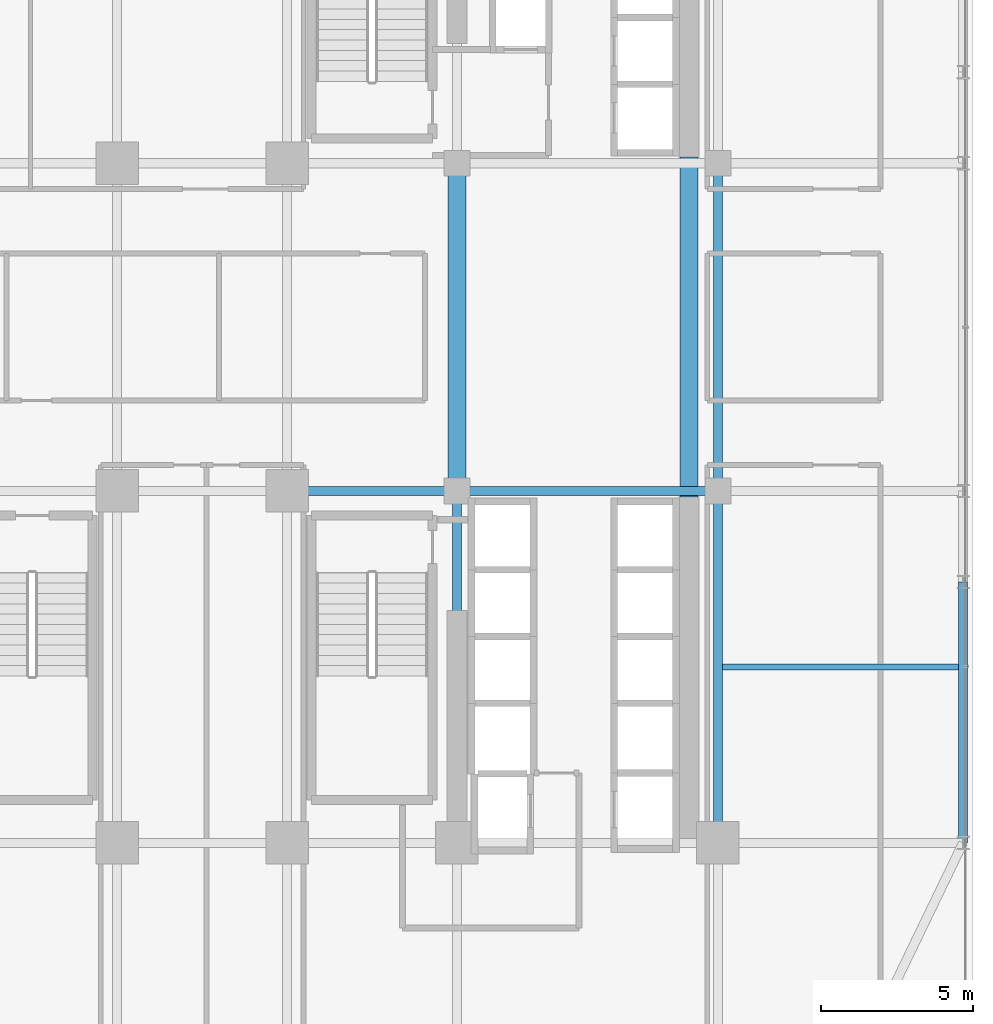
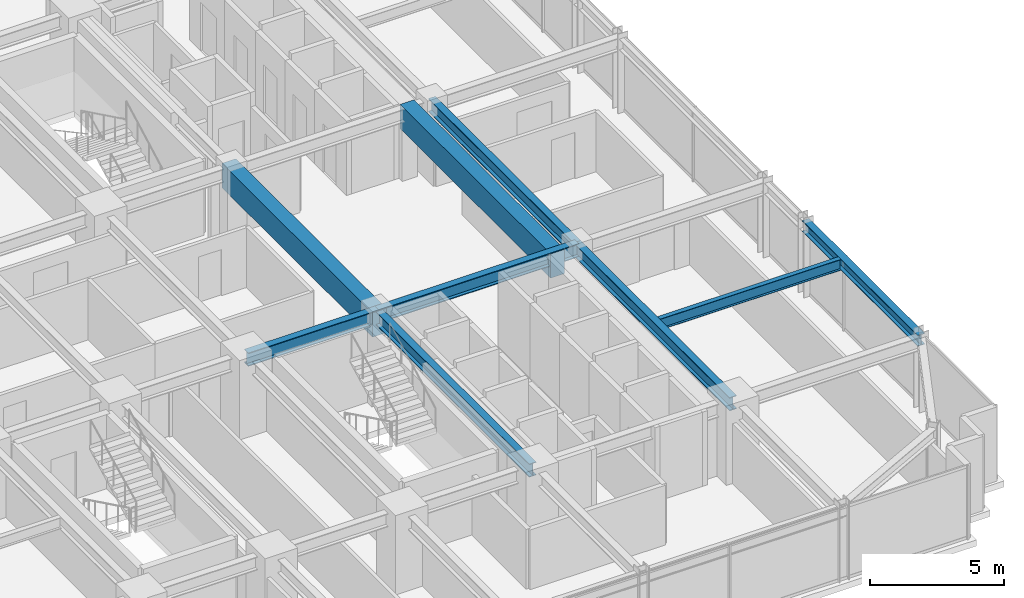
# One storey, part 15 of 37: 9 beams.
"""IFC4 building model written with IfcOpenShell, lengths in metres."""

from ifc_helpers import new_model, si_unit, direction, frame, origin, origin_2d, place, context, subcontext, project, spatial, rectangle, i_section, extrude, source, transform, mapped, material, material_profile, profile_set, type_object, element, save


model = new_model("IFC4")

# Units and contexts
model_context = context("Model", 3, precision=1e-05, world=origin(), true_north=direction((0.0, 1.0)))
body_context = subcontext(model_context, "Body", "Model", "MODEL_VIEW")
ifc_project = project(units=[si_unit("LENGTHUNIT", "METRE"), si_unit("AREAUNIT", "SQUARE_METRE"), si_unit("VOLUMEUNIT", "CUBIC_METRE"), si_unit("PLANEANGLEUNIT", "RADIAN"), si_unit("MASSUNIT", "GRAM", prefix="KILO")], contexts=[model_context])

# Site, building, storey
site_placement = place(None, origin())
site = spatial("IfcSite", under=ifc_project, at=site_placement, CompositionType="ELEMENT")
building_placement = place(site_placement, origin())
building = spatial("IfcBuilding", under=site, at=building_placement, Name="Nahalor Promenade Grand Hotel", CompositionType="ELEMENT")
storey_placement = place(building_placement, frame((0.0, 0.0, 36.050048828125)))
storey = spatial("IfcBuildingStorey", under=building, at=storey_placement, Name="L07", CompositionType="ELEMENT", Elevation=36.050048828125)

# Beams
ifc_material_1 = material(Name="Concrete B-60 (C50/60)", Category="concrete")
ifc_material_profile_1 = material_profile(ifc_material_1, rectangle(XDim=0.6, YDim=1.1, at=origin_2d()), Name="RC 600x1100")
ifc_profile_set_1 = profile_set([ifc_material_profile_1], Name="Concrete B-60 (C50/60)")
beam_type_1 = type_object("IfcBeamType", Name="Beam-Lintel-RC1100", PredefinedType="LINTEL", material=ifc_profile_set_1)
shared_shape_1 = source(origin(), body_context, "Body", "SweptSolid", [
    extrude(rectangle(XDim=0.6, YDim=1.1, at=origin_2d()), origin(), (0.0, 0.0, 1.0), 11.2001953125),
])
for number, where, z_axis, x_axis, name in (
    (1, (8.39990234375, -5.60009765625, 2.820068359375), (0.0, 1.0, 0.0), (-1.0, 0.0, 0.0), "BM-L07-LINT-W"),
    (2, (16.050048828125, -5.60009765625, 2.820068359375), (0.0, 1.0, 0.0), (-1.0, 0.0, 0.0), "BM-L07-LINT-E"),
):
    element("IfcBeam", number, at=place(storey_placement, frame(where, z_axis=z_axis, x_axis=x_axis)), inside=storey, type_object=beam_type_1, Name=name, PredefinedType="LINTEL", context=body_context, shape_type="MappedRepresentation", body=[
        mapped(shared_shape_1, transform((0.0, 0.0, 0.0), scale=1.0)),
    ])
ifc_material_2 = material(Name="Steel S355JR", Category="steel")
ifc_material_profile_2 = material_profile(ifc_material_2, i_section(OverallWidth=0.3, OverallDepth=0.6, WebThickness=0.0155, FlangeThickness=0.03, at=origin_2d()), Name="HEB 600")
ifc_profile_set_2 = profile_set([ifc_material_profile_2], Name="Steel S355JR")
beam_type_2 = type_object("IfcBeamType", Name="Beam-Girder-HEB600", PredefinedType="BEAM", material=ifc_profile_set_2)
shared_shape_2 = source(origin(), body_context, "Body", "SweptSolid", [
    extrude(i_section(OverallWidth=0.3, OverallDepth=0.6, WebThickness=0.0155, FlangeThickness=0.03, at=origin_2d()), origin(), (0.0, 0.0, 1.0), 8.60009765625),
])
beam_1_placement = place(storey_placement, frame((8.39990234375, -5.39990234375, 3.070068359375), z_axis=(1.0, 0.0, 0.0), x_axis=(0.0, 1.0, 0.0)))
element("IfcBeam", 3, at=beam_1_placement, inside=storey, type_object=beam_type_2, Name="BM-L07-GX-1-5", PredefinedType="BEAM", context=body_context, shape_type="MappedRepresentation", body=[
    mapped(shared_shape_2, transform((0.0, 0.0, 0.0), scale=1.0)),
])
shared_shape_3 = source(origin(), body_context, "Body", "SweptSolid", [
    extrude(i_section(OverallWidth=0.3, OverallDepth=0.6, WebThickness=0.0155, FlangeThickness=0.03, at=origin_2d()), origin(), (0.0, 0.0, 1.0), 5.599853515625),
])
beam_2_placement = place(storey_placement, frame((2.800048828125, -5.39990234375, 3.070068359375), z_axis=(1.0, 0.0, 0.0), x_axis=(0.0, 1.0, 0.0)))
element("IfcBeam", 4, at=beam_2_placement, inside=storey, type_object=beam_type_2, Name="BM-L07-GX-1-4", PredefinedType="BEAM", context=body_context, shape_type="MappedRepresentation", body=[
    mapped(shared_shape_3, transform((0.0, 0.0, 0.0), scale=1.0)),
])
shared_shape_4 = source(origin(), body_context, "Body", "SweptSolid", [
    extrude(i_section(OverallWidth=0.3, OverallDepth=0.6, WebThickness=0.0155, FlangeThickness=0.03, at=origin_2d()), origin(), (0.0, 0.0, 1.0), 11.60009765625),
])
for number, where, z_axis, x_axis, name in (
    (5, (8.39990234375, -17.0, 3.070068359375), (0.0, 1.0, 0.0), (-1.0, 0.0, 0.0), "BM-L07-GY-4-1"),
    (6, (17.0, -17.0, 3.070068359375), (0.0, 1.0, 0.0), (-1.0, 0.0, 0.0), "BM-L07-GY-5-1"),
):
    element("IfcBeam", number, at=place(storey_placement, frame(where, z_axis=z_axis, x_axis=x_axis)), inside=storey, type_object=beam_type_2, Name=name, PredefinedType="BEAM", context=body_context, shape_type="MappedRepresentation", body=[
        mapped(shared_shape_4, transform((0.0, 0.0, 0.0), scale=1.0)),
    ])
shared_shape_5 = source(origin(), body_context, "Body", "SweptSolid", [
    extrude(i_section(OverallWidth=0.3, OverallDepth=0.6, WebThickness=0.0155, FlangeThickness=0.03, at=origin_2d()), origin(), (0.0, 0.0, 1.0), 10.7998046875),
])
beam_3_placement = place(storey_placement, frame((17.0, -5.39990234375, 3.070068359375), z_axis=(0.0, 1.0, 0.0), x_axis=(-1.0, 0.0, 0.0)))
element("IfcBeam", 7, at=beam_3_placement, inside=storey, type_object=beam_type_2, Name="BM-L07-GY-5-2", PredefinedType="BEAM", context=body_context, shape_type="MappedRepresentation", body=[
    mapped(shared_shape_5, transform((0.0, 0.0, 0.0), scale=1.0)),
])
ifc_material_profile_3 = material_profile(ifc_material_2, i_section(OverallWidth=0.3, OverallDepth=0.5, WebThickness=0.0145, FlangeThickness=0.028, at=origin_2d()), Name="HEB 500")
ifc_profile_set_3 = profile_set([ifc_material_profile_3], Name="Steel S355JR")
beam_type_3 = type_object("IfcBeamType", Name="Beam-Spandrel-HEB500", PredefinedType="SPANDREL", material=ifc_profile_set_3)
shared_shape_6 = source(origin(), body_context, "Body", "SweptSolid", [
    extrude(i_section(OverallWidth=0.3, OverallDepth=0.5, WebThickness=0.0145, FlangeThickness=0.028, at=origin_2d()), origin(), (0.0, 0.0, 1.0), 8.60009765625),
])
beam_4_placement = place(storey_placement, frame((25.080078125, -17.0, 3.119873046875), z_axis=(0.0, 1.0, 0.0), x_axis=(-1.0, 0.0, 0.0)))
element("IfcBeam", 8, at=beam_4_placement, inside=storey, type_object=beam_type_3, Name="BM-L07-SP-E-0", PredefinedType="SPANDREL", context=body_context, shape_type="MappedRepresentation", body=[
    mapped(shared_shape_6, transform((0.0, 0.0, 0.0), scale=1.0)),
])
ifc_material_profile_4 = material_profile(ifc_material_2, i_section(OverallWidth=0.2, OverallDepth=0.5, WebThickness=0.0102, FlangeThickness=0.016, at=origin_2d()), Name="IPE 500")
ifc_profile_set_4 = profile_set([ifc_material_profile_4], Name="Steel S355JR")
beam_type_4 = type_object("IfcBeamType", Name="Beam-Joist-IPE500", PredefinedType="JOIST", material=ifc_profile_set_4)
shared_shape_7 = source(origin(), body_context, "Body", "SweptSolid", [
    extrude(i_section(OverallWidth=0.2, OverallDepth=0.5, WebThickness=0.0102, FlangeThickness=0.016, at=origin_2d()), origin(), (0.0, 0.0, 1.0), 7.780029296875),
])
beam_5_placement = place(storey_placement, frame((17.14990234375, -11.199951171875, 3.119873046875), z_axis=(1.0, 0.0, 0.0), x_axis=(0.0, 1.0, 0.0)))
element("IfcBeam", 9, at=beam_5_placement, inside=storey, type_object=beam_type_4, Name="BM-L07-JSE-0-2", PredefinedType="JOIST", context=body_context, shape_type="MappedRepresentation", body=[
    mapped(shared_shape_7, transform((0.0, 0.0, 0.0), scale=1.0)),
])

save(model, "model.ifc")
